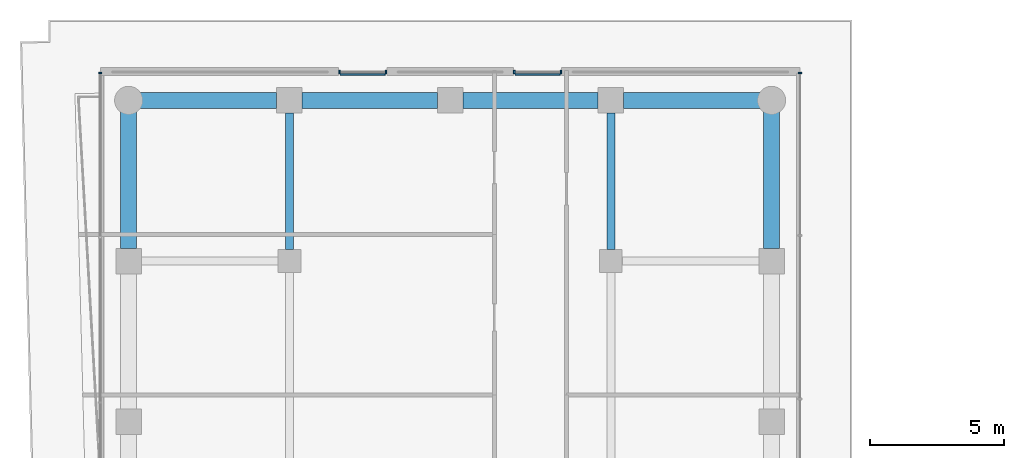
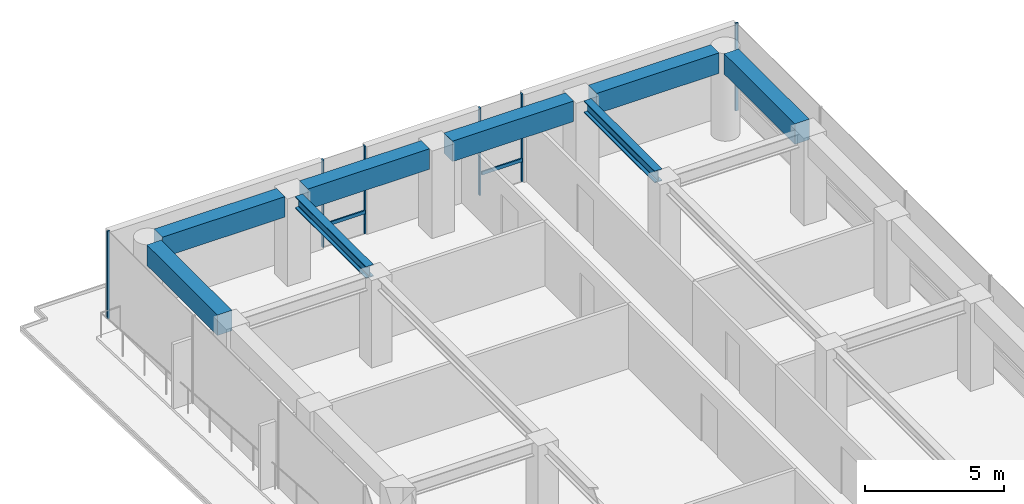
# One storey, part 21 of 29: 8 beams, 8 members, 4 elements without a shape of their own.
"""IFC4 building model written with IfcOpenShell, lengths in metres."""

from ifc_helpers import new_model, si_unit, direction, frame, origin, origin_2d, place, context, subcontext, project, spatial, rectangle, i_section, extrude, material, layer, layer_set, material_profile, profile_set, type_object, element, aggregate, save


model = new_model("IFC4")

# Units and contexts
model_context = context("Model", 3, precision=1e-05, world=origin(), true_north=direction((0.0, 1.0)))
body_context = subcontext(model_context, "Body", "Model", "MODEL_VIEW")
ifc_project = project(units=[si_unit("LENGTHUNIT", "METRE"), si_unit("AREAUNIT", "SQUARE_METRE"), si_unit("VOLUMEUNIT", "CUBIC_METRE"), si_unit("PLANEANGLEUNIT", "RADIAN"), si_unit("MASSUNIT", "GRAM", prefix="KILO")], contexts=[model_context])

# Site, building, storey
site_placement = place(None, origin())
site = spatial("IfcSite", under=ifc_project, at=site_placement, CompositionType="ELEMENT")
building_placement = place(site_placement, origin())
building = spatial("IfcBuilding", under=site, at=building_placement, Name="Welwitschia Terrace Campus", CompositionType="ELEMENT")
storey_placement = place(building_placement, frame((0.0, 0.0, 58.39990234375)))
storey = spatial("IfcBuildingStorey", under=building, at=storey_placement, Name="L13", CompositionType="ELEMENT", Elevation=58.39990234375)

# Beams
ifc_material_1 = material(Name="Steel S355", Category="steel")
ifc_material_profile_1 = material_profile(ifc_material_1, i_section(OverallWidth=0.305908203125, OverallDepth=0.52392578125, WebThickness=0.02099609375, FlangeThickness=0.0400390625, FilletRadius=0.027099609375, at=origin_2d()))
ifc_profile_set_1 = profile_set([ifc_material_profile_1], Name="Steel S355")
beam_type_1 = type_object("IfcBeamType", Name="Interior girder HE 500 M", PredefinedType="BEAM", material=ifc_profile_set_1)
for number, where, z_axis, x_axis, name in (
    (1, (6.0, 56.425537109375, 3.588134765625), (0.0, 1.0, 0.0), (-1.0, 0.0, 0.0), "Girder GB2"),
    (2, (18.0, 56.425537109375, 3.588134765625), (0.0, 1.0, 0.0), (-1.0, 0.0, 0.0), "Girder GB2"),
):
    element("IfcBeam", number, at=place(storey_placement, frame(where, z_axis=z_axis, x_axis=x_axis)), inside=storey, type_object=beam_type_1, Name=name, PredefinedType="BEAM", context=body_context, shape_type="SweptSolid", body=[
        extrude(i_section(OverallWidth=0.305908203125, OverallDepth=0.52392578125, WebThickness=0.02099609375, FlangeThickness=0.0400390625, FilletRadius=0.027099609375, at=origin_2d()), origin(), (0.0, 0.0, 1.0), 5.10888671875),
    ])

# Curtain wall, member
ifc_material_2 = material(Name="Bronze anodised aluminium", Category="aluminium")
ifc_layer = layer(ifc_material_2, 0.1201171875)
ifc_layer_set = layer_set([ifc_layer], Name="Bronze anodised aluminium")
curtain_wall_type = type_object("IfcCurtainWallType", Name="Curtain wall CW2 tower 6000", PredefinedType="NOTDEFINED", material=ifc_layer_set)
curtain_wall_1_placement = place(storey_placement, origin())
curtain_wall_1 = element("IfcCurtainWall", 3, at=curtain_wall_1_placement, inside=storey, type_object=curtain_wall_type, Name="CW L13.10.0", PredefinedType="NOTDEFINED")
ifc_material_3 = material(Name="Bronze anodised aluminium", Category="aluminium")
ifc_material_profile_2 = material_profile(ifc_material_3, rectangle(XDim=0.1201171875, YDim=0.06005859375, at=origin_2d()))
ifc_profile_set_2 = profile_set([ifc_material_profile_2], Name="Bronze anodised aluminium")
member_type_1 = type_object("IfcMemberType", Name="Mullion 60x120", PredefinedType="MULLION", material=ifc_profile_set_2)
member_1_placement = place(storey_placement, frame((25.05810546875, 63.028076171875, 0.0), z_axis=(0.0, 0.0, 1.0), x_axis=(-1.0, 0.0, 0.0)))
member_1 = element("IfcMember", 4, at=member_1_placement, type_object=member_type_1, Name="Mullion L13.10.0.6", PredefinedType="MULLION", context=body_context, shape_type="SweptSolid", body=[
    extrude(rectangle(XDim=0.1201171875, YDim=0.06005859375, at=origin_2d()), origin(), (0.0, 0.0, 1.0), 3.85009765625),
])
aggregate(curtain_wall_1, [member_1])

# Curtain wall, members
curtain_wall_2_placement = place(storey_placement, origin())
curtain_wall_2 = element("IfcCurtainWall", 5, at=curtain_wall_2_placement, inside=storey, type_object=curtain_wall_type, Name="CW L13.11.S0", PredefinedType="NOTDEFINED")
member_2_placement = place(storey_placement, frame((16.134521484375, 63.05810546875, 0.0), z_axis=(0.0, 0.0, 1.0), x_axis=(0.0, -1.0, 0.0)))
member_2 = element("IfcMember", 6, at=member_2_placement, type_object=member_type_1, Name="Mullion L13.11.S0.0", PredefinedType="MULLION", context=body_context, shape_type="SweptSolid", body=[
    extrude(rectangle(XDim=0.1201171875, YDim=0.06005859375, at=origin_2d()), origin(), (0.0, 0.0, 1.0), 3.85009765625),
])
member_3_placement = place(storey_placement, frame((14.39453125, 63.05810546875, 0.0), z_axis=(0.0, 0.0, 1.0), x_axis=(0.0, -1.0, 0.0)))
member_3 = element("IfcMember", 7, at=member_3_placement, type_object=member_type_1, Name="Mullion L13.11.S0.1", PredefinedType="MULLION", context=body_context, shape_type="SweptSolid", body=[
    extrude(rectangle(XDim=0.1201171875, YDim=0.06005859375, at=origin_2d()), origin(), (0.0, 0.0, 1.0), 3.85009765625),
])

curtain_wall_3_placement = place(storey_placement, origin())
curtain_wall_3 = element("IfcCurtainWall", 8, at=curtain_wall_3_placement, inside=storey, type_object=curtain_wall_type, Name="CW L13.11.S1", PredefinedType="NOTDEFINED")
member_4_placement = place(storey_placement, frame((9.60546875, 63.05810546875, 0.0), z_axis=(0.0, 0.0, 1.0), x_axis=(0.0, -1.0, 0.0)))
member_4 = element("IfcMember", 9, at=member_4_placement, type_object=member_type_1, Name="Mullion L13.11.S1.0", PredefinedType="MULLION", context=body_context, shape_type="SweptSolid", body=[
    extrude(rectangle(XDim=0.1201171875, YDim=0.06005859375, at=origin_2d()), origin(), (0.0, 0.0, 1.0), 3.85009765625),
])
member_5_placement = place(storey_placement, frame((7.865478515625, 63.05810546875, 0.0), z_axis=(0.0, 0.0, 1.0), x_axis=(0.0, -1.0, 0.0)))
member_5 = element("IfcMember", 10, at=member_5_placement, type_object=member_type_1, Name="Mullion L13.11.S1.1", PredefinedType="MULLION", context=body_context, shape_type="SweptSolid", body=[
    extrude(rectangle(XDim=0.1201171875, YDim=0.06005859375, at=origin_2d()), origin(), (0.0, 0.0, 1.0), 3.85009765625),
])

# Curtain wall, member
curtain_wall_4_placement = place(storey_placement, origin())
curtain_wall_4 = element("IfcCurtainWall", 11, at=curtain_wall_4_placement, inside=storey, type_object=curtain_wall_type, Name="CW L13.12.0", PredefinedType="NOTDEFINED")
member_6_placement = place(storey_placement, frame((-1.05810546875, 63.028076171875, 0.0), z_axis=(0.0, 0.0, 1.0), x_axis=(1.0, 0.0, 0.0)))
member_6 = element("IfcMember", 12, at=member_6_placement, type_object=member_type_1, Name="Mullion L13.12.0.0", PredefinedType="MULLION", context=body_context, shape_type="SweptSolid", body=[
    extrude(rectangle(XDim=0.1201171875, YDim=0.06005859375, at=origin_2d()), origin(), (0.0, 0.0, 1.0), 3.85009765625),
])
aggregate(curtain_wall_4, [member_6])

# Beams
ifc_material_4 = material(Name="Concrete C60/75", Category="concrete")
ifc_material_profile_3 = material_profile(ifc_material_4, rectangle(XDim=0.60009765625, YDim=0.89990234375, at=origin_2d()))
ifc_profile_set_3 = profile_set([ifc_material_profile_3], Name="Concrete C60/75")
beam_type_2 = type_object("IfcBeamType", Name="Ring spandrel 600x900", PredefinedType="SPANDREL", material=ifc_profile_set_3)
for number, where, z_axis, x_axis, name in (
    (13, (24.0, 56.4755859375, 3.400146484375), (0.0, 1.0, 0.0), (-1.0, 0.0, 0.0), "Spandrel SP2"),
    (14, (23.568603515625, 62.0, 3.400146484375), (-1.0, 0.0, 0.0), (0.0, -1.0, 0.0), "Spandrel SP2"),
):
    element("IfcBeam", number, at=place(storey_placement, frame(where, z_axis=z_axis, x_axis=x_axis)), inside=storey, type_object=beam_type_2, Name=name, PredefinedType="SPANDREL", context=body_context, shape_type="SweptSolid", body=[
        extrude(rectangle(XDim=0.60009765625, YDim=0.89990234375, at=origin_2d()), origin(), (0.0, 0.0, 1.0), 5.093017578125),
    ])
for number, where, z_axis, x_axis, name in (
    (15, (17.5244140625, 62.0, 3.400146484375), (-1.0, 0.0, 0.0), (0.0, -1.0, 0.0), "Spandrel SP2"),
    (16, (11.5244140625, 62.0, 3.400146484375), (-1.0, 0.0, 0.0), (0.0, -1.0, 0.0), "Spandrel SP2"),
):
    element("IfcBeam", number, at=place(storey_placement, frame(where, z_axis=z_axis, x_axis=x_axis)), inside=storey, type_object=beam_type_2, Name=name, PredefinedType="SPANDREL", context=body_context, shape_type="SweptSolid", body=[
        extrude(rectangle(XDim=0.60009765625, YDim=0.89990234375, at=origin_2d()), origin(), (0.0, 0.0, 1.0), 5.048828125),
    ])
for number, where, z_axis, x_axis, name in (
    (17, (5.5244140625, 62.0, 3.400146484375), (-1.0, 0.0, 0.0), (0.0, -1.0, 0.0), "Spandrel SP2"),
    (18, (0.0, 61.568603515625, 3.400146484375), (0.0, -1.0, 0.0), (1.0, 0.0, 0.0), "Spandrel SP2"),
):
    element("IfcBeam", number, at=place(storey_placement, frame(where, z_axis=z_axis, x_axis=x_axis)), inside=storey, type_object=beam_type_2, Name=name, PredefinedType="SPANDREL", context=body_context, shape_type="SweptSolid", body=[
        extrude(rectangle(XDim=0.60009765625, YDim=0.89990234375, at=origin_2d()), origin(), (0.0, 0.0, 1.0), 5.093017578125),
    ])

# Member
ifc_material_5 = material(Name="Bronze anodised aluminium", Category="aluminium")
ifc_material_profile_4 = material_profile(ifc_material_5, rectangle(XDim=0.06005859375, YDim=0.14990234375, at=origin_2d()))
ifc_profile_set_4 = profile_set([ifc_material_profile_4], Name="Bronze anodised aluminium")
member_type_2 = type_object("IfcMemberType", Name="Transom 60x150", PredefinedType="USERDEFINED", material=ifc_profile_set_4)
member_7_placement = place(storey_placement, frame((16.1044921875, 62.968017578125, 1.0), z_axis=(-1.0, 0.0, 0.0), x_axis=(0.0, -1.0, 0.0)))
member_7 = element("IfcMember", 19, at=member_7_placement, type_object=member_type_2, Name="Transom L13.11.S0", ObjectType="TRANSOM", PredefinedType="USERDEFINED", context=body_context, shape_type="SweptSolid", body=[
    extrude(rectangle(XDim=0.06005859375, YDim=0.14990234375, at=origin_2d()), origin(), (0.0, 0.0, 1.0), 1.679931640625),
])

aggregate(curtain_wall_2, [member_2, member_3, member_7])

member_8_placement = place(storey_placement, frame((9.575439453125, 62.968017578125, 1.0), z_axis=(-1.0, 0.0, 0.0), x_axis=(0.0, -1.0, 0.0)))
member_8 = element("IfcMember", 20, at=member_8_placement, type_object=member_type_2, Name="Transom L13.11.S1", ObjectType="TRANSOM", PredefinedType="USERDEFINED", context=body_context, shape_type="SweptSolid", body=[
    extrude(rectangle(XDim=0.06005859375, YDim=0.14990234375, at=origin_2d()), origin(), (0.0, 0.0, 1.0), 1.679931640625),
])

aggregate(curtain_wall_3, [member_4, member_5, member_8])

save(model, "model.ifc")
